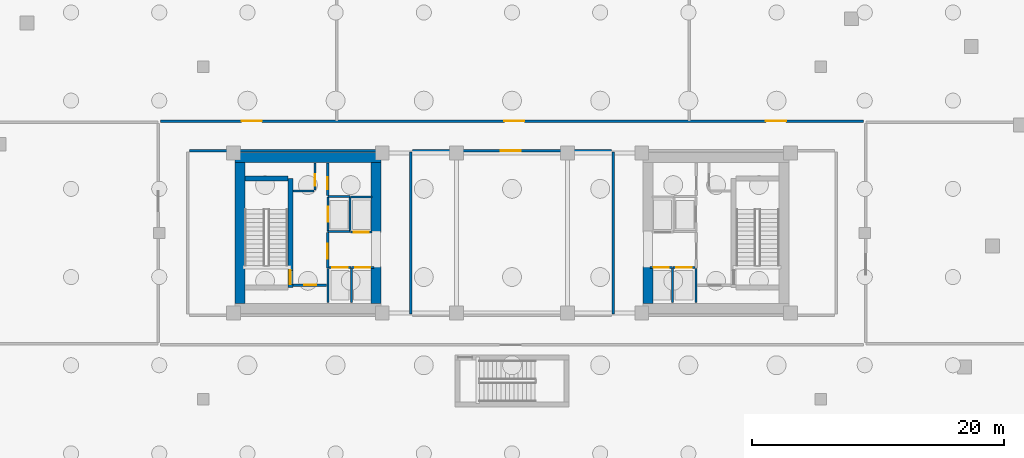
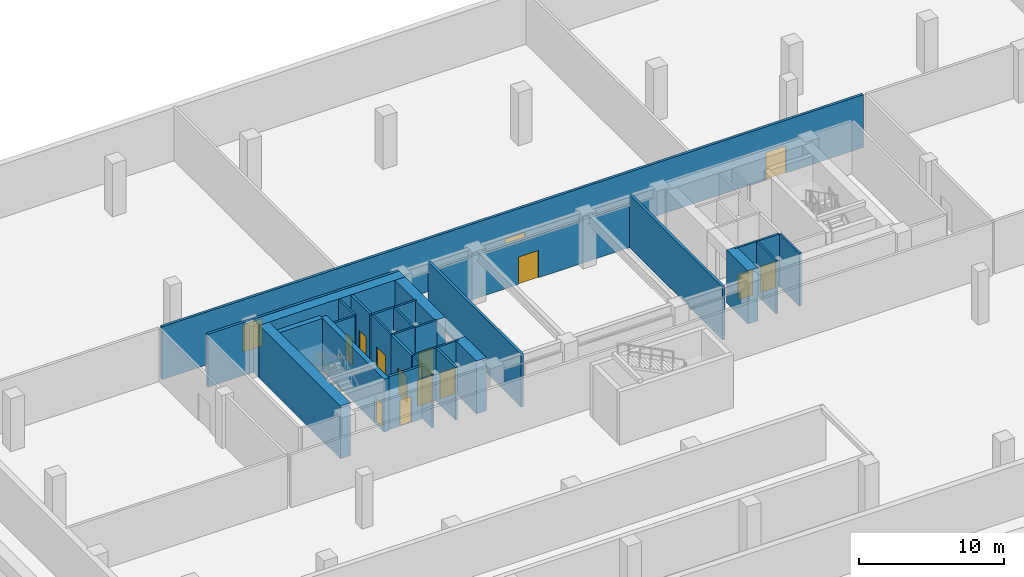
# One storey, part 4 of 10: 31 walls, 15 doors, 15 openings.
"""IFC4 building model written with IfcOpenShell, lengths in metres."""

from ifc_helpers import new_model, si_unit, direction, frame, frame_2d, origin, place, context, subcontext, project, spatial, rectangle, extrude, material, layer, layer_set, type_object, element, fill, save


model = new_model("IFC4")

# Units and contexts
model_context = context("Model", 3, precision=1e-05, world=origin(), true_north=direction((0.0, 1.0)))
body_context = subcontext(model_context, "Body", "Model", "MODEL_VIEW")
ifc_project = project(units=[si_unit("LENGTHUNIT", "METRE"), si_unit("AREAUNIT", "SQUARE_METRE"), si_unit("VOLUMEUNIT", "CUBIC_METRE"), si_unit("PLANEANGLEUNIT", "RADIAN"), si_unit("MASSUNIT", "GRAM", prefix="KILO")], contexts=[model_context])

# Site, building, storey
site_placement = place(None, origin())
site = spatial("IfcSite", under=ifc_project, at=site_placement, CompositionType="ELEMENT")
building_placement = place(site_placement, origin())
building = spatial("IfcBuilding", under=site, at=building_placement, Name="Tavrogorsk Clinical Tower", CompositionType="ELEMENT")
storey_placement = place(building_placement, frame((0.0, 0.0, -10.199951171875)))
storey = spatial("IfcBuildingStorey", under=building, at=storey_placement, Name="B2", CompositionType="ELEMENT", Elevation=-10.199951171875)

# Wall, opening, door
ifc_material_1 = material(Name="Concrete B60", Category="concrete")
ifc_layer_1 = layer(ifc_material_1, 0.199951171875)
ifc_layer_set_1 = layer_set([ifc_layer_1], Name="Concrete B60")
wall_type_1 = type_object("IfcWallType", Name="CoreFireWall_200", PredefinedType="SOLIDWALL", material=ifc_layer_set_1)
wall_1_placement = place(storey_placement, frame((-17.3798828125, -4.139892578125, 0.0), z_axis=(0.0, 0.0, 1.0), x_axis=(1.0, 0.0, 0.0)))
wall_1 = element("IfcWall", 1, at=wall_1_placement, inside=storey, type_object=wall_type_1, Name="B2 Core West South Core Room Fire Wall", PredefinedType="SOLIDWALL", context=body_context, shape_type="SweptSolid", body=[
    extrude(rectangle(XDim=2.659912109375, YDim=0.199951171875, at=frame_2d((1.330078125, 0.0))), origin(), (0.0, 0.0, 1.0), 4.449951171875),
])
opening_1_placement = place(wall_1_placement, frame((0.8798828125, 0.0, 0.0)))
opening_1 = element("IfcOpeningElement", 2, at=opening_1_placement, cuts=wall_1, Name="Opening ID-02", PredefinedType="OPENING", context=body_context, shape_type="SweptSolid", body=[
    extrude(rectangle(XDim=0.949951171875, YDim=2.199951171875, at=frame_2d((0.47509765625, 1.10009765625))), frame((0.0, 0.10986328125, 0.0), z_axis=(0.0, -1.0, 0.0), x_axis=(1.0, 0.0, 0.0)), (0.0, 0.0, 1.0), 0.219970703125),
])
ifc_material_2 = material(Name="Laminated timber leaf on aluminium frame", Category="wood")
door_type_1 = type_object("IfcDoorType", Name="InteriorDoor_ID02_950", OperationType="NOTDEFINED", PredefinedType="DOOR", material=ifc_material_2)
door_1_placement = place(opening_1_placement, origin())
door_1 = element("IfcDoor", 3, at=door_1_placement, inside=storey, type_object=door_type_1, Name="B2 Core West South Core Room Door", OperationType="SINGLE_SWING_RIGHT", OverallHeight=2.199951171875, OverallWidth=0.949951171875, PredefinedType="DOOR", context=body_context, shape_type="SweptSolid", body=[
    extrude(rectangle(XDim=0.949951171875, YDim=2.199951171875, at=frame_2d((0.47509765625, 1.10009765625))), frame((0.0, 0.02490234375, 0.0), z_axis=(0.0, -1.0, 0.0), x_axis=(1.0, 0.0, 0.0)), (0.0, 0.0, 1.0), 0.050048828125),
])
fill(opening_1, door_1)

wall_2_placement = place(storey_placement, frame((-14.639892578125, 2.9599609375, 0.0), z_axis=(0.0, 0.0, 1.0), x_axis=(0.0, 1.0, 0.0)))
wall_2 = element("IfcWall", 4, at=wall_2_placement, inside=storey, type_object=wall_type_1, Name="B2 Core West North Core Room East Wall", PredefinedType="SOLIDWALL", context=body_context, shape_type="SweptSolid", body=[
    extrude(rectangle(XDim=2.60009765625, YDim=0.199951171875, at=frame_2d((1.300048828125, 0.0))), origin(), (0.0, 0.0, 1.0), 4.449951171875),
])
opening_2_placement = place(wall_2_placement, frame((0.52001953125, 0.0, 0.0)))
opening_2 = element("IfcOpeningElement", 5, at=opening_2_placement, cuts=wall_2, Name="Opening ID-02", PredefinedType="OPENING", context=body_context, shape_type="SweptSolid", body=[
    extrude(rectangle(XDim=0.949951171875, YDim=2.199951171875, at=frame_2d((0.47509765625, 1.10009765625))), frame((0.0, 0.10986328125, 0.0), z_axis=(0.0, -1.0, 0.0), x_axis=(1.0, 0.0, 0.0)), (0.0, 0.0, 1.0), 0.219970703125),
])
door_2_placement = place(opening_2_placement, origin())
door_2 = element("IfcDoor", 6, at=door_2_placement, inside=storey, type_object=door_type_1, Name="B2 Core West Core Telemetry Room Door", OperationType="SINGLE_SWING_LEFT", OverallHeight=2.199951171875, OverallWidth=0.949951171875, PredefinedType="DOOR", context=body_context, shape_type="SweptSolid", body=[
    extrude(rectangle(XDim=0.949951171875, YDim=2.199951171875, at=frame_2d((0.47509765625, 1.10009765625))), frame((0.0, 0.02490234375, 0.0), z_axis=(0.0, -1.0, 0.0), x_axis=(1.0, 0.0, 0.0)), (0.0, 0.0, 1.0), 0.050048828125),
])
fill(opening_2, door_2)

wall_3_placement = place(storey_placement, frame((-14.639892578125, -2.780029296875, 0.0), z_axis=(0.0, 0.0, 1.0), x_axis=(0.0, 1.0, 0.0)))
wall_3 = element("IfcWall", 7, at=wall_3_placement, inside=storey, type_object=wall_type_1, Name="B2 Core West Firefighting Lobby Fire Wall", PredefinedType="SOLIDWALL", context=body_context, shape_type="SweptSolid", body=[
    extrude(rectangle(XDim=2.820068359375, YDim=0.199951171875, at=frame_2d((1.41015625, 0.0))), origin(), (0.0, 0.0, 1.0), 4.449951171875),
])
opening_3_placement = place(wall_3_placement, frame((0.72998046875, 0.0, 0.0)))
opening_3 = element("IfcOpeningElement", 8, at=opening_3_placement, cuts=wall_3, Name="Opening FD-01", PredefinedType="OPENING", context=body_context, shape_type="SweptSolid", body=[
    extrude(rectangle(XDim=1.199951171875, YDim=2.199951171875, at=frame_2d((0.60009765625, 1.10009765625))), frame((0.0, 0.10986328125, 0.0), z_axis=(0.0, -1.0, 0.0), x_axis=(1.0, 0.0, 0.0)), (0.0, 0.0, 1.0), 0.219970703125),
])
ifc_material_3 = material(Name="Galvanised steel fire-rated door assembly", Category="steel")
door_type_2 = type_object("IfcDoorType", Name="FireDoor_FD01_1200", OperationType="NOTDEFINED", PredefinedType="DOOR", material=ifc_material_3)
door_3_placement = place(opening_3_placement, origin())
door_3 = element("IfcDoor", 9, at=door_3_placement, inside=storey, type_object=door_type_2, Name="B2 Core West Firefighting Lobby Entry Door", OperationType="SINGLE_SWING_RIGHT", OverallHeight=2.199951171875, OverallWidth=1.199951171875, PredefinedType="DOOR", context=body_context, shape_type="SweptSolid", body=[
    extrude(rectangle(XDim=1.199951171875, YDim=2.199951171875, at=frame_2d((0.60009765625, 1.10009765625))), frame((0.0, 0.02490234375, 0.0), z_axis=(0.0, -1.0, 0.0), x_axis=(1.0, 0.0, 0.0)), (0.0, 0.0, 1.0), 0.050048828125),
])
fill(opening_3, door_3)

# Wall, openings, doors
wall_4_placement = place(storey_placement, frame((-27.89501953125, 8.8798828125, 0.0), z_axis=(0.0, 0.0, 1.0), x_axis=(1.0, 0.0, 0.0)))
wall_4 = element("IfcWall", 10, at=wall_4_placement, inside=storey, type_object=wall_type_1, Name="B2 Corridor Fire Wall 02", PredefinedType="SOLIDWALL", context=body_context, shape_type="SweptSolid", body=[
    extrude(rectangle(XDim=55.7900390625, YDim=0.199951171875, at=frame_2d((27.89501953125, 0.0))), origin(), (0.0, 0.0, 1.0), 4.449951171875),
])
opening_4_placement = place(wall_4_placement, frame((6.43408203125, 0.0, 0.0)))
opening_4 = element("IfcOpeningElement", 11, at=opening_4_placement, cuts=wall_4, Name="Opening FD-04", PredefinedType="OPENING", context=body_context, shape_type="SweptSolid", body=[
    extrude(rectangle(XDim=1.60009765625, YDim=2.300048828125, at=frame_2d((0.800048828125, 1.14990234375))), frame((0.0, 0.10986328125, 0.0), z_axis=(0.0, -1.0, 0.0), x_axis=(1.0, 0.0, 0.0)), (0.0, 0.0, 1.0), 0.219970703125),
])
opening_5_placement = place(wall_4_placement, frame((27.280029296875, 0.0, 0.0)))
opening_5 = element("IfcOpeningElement", 12, at=opening_5_placement, cuts=wall_4, Name="Opening FD-04", PredefinedType="OPENING", context=body_context, shape_type="SweptSolid", body=[
    extrude(rectangle(XDim=1.60009765625, YDim=2.300048828125, at=frame_2d((0.800048828125, 1.14990234375))), frame((0.0, 0.10986328125, 0.0), z_axis=(0.0, -1.0, 0.0), x_axis=(1.0, 0.0, 0.0)), (0.0, 0.0, 1.0), 0.219970703125),
])
opening_6_placement = place(wall_4_placement, frame((48.0458984375, 0.0, 0.0)))
opening_6 = element("IfcOpeningElement", 13, at=opening_6_placement, cuts=wall_4, Name="Opening FD-04", PredefinedType="OPENING", context=body_context, shape_type="SweptSolid", body=[
    extrude(rectangle(XDim=1.60009765625, YDim=2.300048828125, at=frame_2d((0.800048828125, 1.14990234375))), frame((0.0, 0.10986328125, 0.0), z_axis=(0.0, -1.0, 0.0), x_axis=(1.0, 0.0, 0.0)), (0.0, 0.0, 1.0), 0.219970703125),
])
ifc_material_4 = material(Name="Galvanised steel acoustic plant double door", Category="steel")
door_type_3 = type_object("IfcDoorType", Name="PlantDoubleDoor_FD04_1600", OperationType="DOUBLE_SWING_LEFT", PredefinedType="DOOR", material=ifc_material_4)
door_4_placement = place(opening_4_placement, origin())
door_4 = element("IfcDoor", 14, at=door_4_placement, inside=storey, type_object=door_type_3, Name="B2 Central Sterile Supply Department Fire Door", OperationType="DOUBLE_SWING_LEFT", OverallHeight=2.300048828125, OverallWidth=1.60009765625, PredefinedType="DOOR", context=body_context, shape_type="SweptSolid", body=[
    extrude(rectangle(XDim=1.60009765625, YDim=2.300048828125, at=frame_2d((0.800048828125, 1.14990234375))), frame((0.0, 0.02490234375, 0.0), z_axis=(0.0, -1.0, 0.0), x_axis=(1.0, 0.0, 0.0)), (0.0, 0.0, 1.0), 0.050048828125),
])
fill(opening_4, door_4)
door_5_placement = place(opening_5_placement, origin())
door_5 = element("IfcDoor", 15, at=door_5_placement, inside=storey, type_object=door_type_3, Name="B2 Automated Robotic Pharmacy Vault Fire Door", OperationType="DOUBLE_SWING_LEFT", OverallHeight=2.300048828125, OverallWidth=1.60009765625, PredefinedType="DOOR", context=body_context, shape_type="SweptSolid", body=[
    extrude(rectangle(XDim=1.60009765625, YDim=2.300048828125, at=frame_2d((0.800048828125, 1.14990234375))), frame((0.0, 0.02490234375, 0.0), z_axis=(0.0, -1.0, 0.0), x_axis=(1.0, 0.0, 0.0)), (0.0, 0.0, 1.0), 0.050048828125),
])
fill(opening_5, door_5)
door_6_placement = place(opening_6_placement, origin())
door_6 = element("IfcDoor", 16, at=door_6_placement, inside=storey, type_object=door_type_3, Name="B2 District Cooling & Chiller Plant Fire Door", OperationType="DOUBLE_SWING_LEFT", OverallHeight=2.300048828125, OverallWidth=1.60009765625, PredefinedType="DOOR", context=body_context, shape_type="SweptSolid", body=[
    extrude(rectangle(XDim=1.60009765625, YDim=2.300048828125, at=frame_2d((0.800048828125, 1.14990234375))), frame((0.0, 0.02490234375, 0.0), z_axis=(0.0, -1.0, 0.0), x_axis=(1.0, 0.0, 0.0)), (0.0, 0.0, 1.0), 0.050048828125),
])
fill(opening_6, door_6)

# Wall
wall_5_placement = place(storey_placement, frame((8.02001953125, -6.4150390625, 0.0), z_axis=(0.0, 0.0, 1.0), x_axis=(0.0, 1.0, 0.0)))
element("IfcWall", 17, at=wall_5_placement, inside=storey, type_object=wall_type_1, Name="B2 Corridor Fire Wall 08", PredefinedType="SOLIDWALL", context=body_context, shape_type="SweptSolid", body=[
    extrude(rectangle(XDim=12.830078125, YDim=0.199951171875, at=frame_2d((6.4150390625, 0.0))), origin(), (0.0, 0.0, 1.0), 4.449951171875),
])

# Wall, opening, door
wall_6_placement = place(storey_placement, frame((7.9150390625, 6.52001953125, 0.0), z_axis=(0.0, 0.0, 1.0), x_axis=(-1.0, 0.0, 0.0)))
wall_6 = element("IfcWall", 18, at=wall_6_placement, inside=storey, type_object=wall_type_1, Name="B2 Corridor Fire Wall 09", PredefinedType="SOLIDWALL", context=body_context, shape_type="SweptSolid", body=[
    extrude(rectangle(XDim=15.830078125, YDim=0.199951171875, at=frame_2d((7.9150390625, 0.0))), origin(), (0.0, 0.0, 1.0), 3.64501953125),
])
opening_7_placement = place(wall_6_placement, frame((7.219970703125, 0.0, 0.0)))
opening_7 = element("IfcOpeningElement", 19, at=opening_7_placement, cuts=wall_6, Name="Opening FD-04", PredefinedType="OPENING", context=body_context, shape_type="SweptSolid", body=[
    extrude(rectangle(XDim=1.60009765625, YDim=2.300048828125, at=frame_2d((0.800048828125, 1.14990234375))), frame((0.0, 0.10986328125, 0.0), z_axis=(0.0, -1.0, 0.0), x_axis=(1.0, 0.0, 0.0)), (0.0, 0.0, 1.0), 0.219970703125),
])
door_7_placement = place(opening_7_placement, origin())
door_7 = element("IfcDoor", 20, at=door_7_placement, inside=storey, type_object=door_type_3, Name="B2 Medical Vacuum & Compressed Air Plant Fire Door", OperationType="DOUBLE_SWING_LEFT", OverallHeight=2.300048828125, OverallWidth=1.60009765625, PredefinedType="DOOR", context=body_context, shape_type="SweptSolid", body=[
    extrude(rectangle(XDim=1.60009765625, YDim=2.300048828125, at=frame_2d((0.800048828125, 1.14990234375))), frame((0.0, 0.02490234375, 0.0), z_axis=(0.0, -1.0, 0.0), x_axis=(1.0, 0.0, 0.0)), (0.0, 0.0, 1.0), 0.050048828125),
])
fill(opening_7, door_7)

# Walls
wall_7_placement = place(storey_placement, frame((-8.02001953125, 6.4150390625, 0.0), z_axis=(0.0, 0.0, 1.0), x_axis=(0.0, -1.0, 0.0)))
element("IfcWall", 21, at=wall_7_placement, inside=storey, type_object=wall_type_1, Name="B2 Corridor Fire Wall 10", PredefinedType="SOLIDWALL", context=body_context, shape_type="SweptSolid", body=[
    extrude(rectangle(XDim=12.830078125, YDim=0.199951171875, at=frame_2d((6.4150390625, 0.0))), origin(), (0.0, 0.0, 1.0), 4.449951171875),
])
wall_8_placement = place(storey_placement, frame((-10.3798828125, 6.52001953125, 0.0), z_axis=(0.0, 0.0, 1.0), x_axis=(-1.0, 0.0, 0.0)))
element("IfcWall", 22, at=wall_8_placement, inside=storey, type_object=wall_type_1, Name="B2 Corridor Fire Wall 12", PredefinedType="SOLIDWALL", context=body_context, shape_type="SweptSolid", body=[
    extrude(rectangle(XDim=15.235107421875, YDim=0.199951171875, at=frame_2d((7.61767578125, 0.0))), origin(), (0.0, 0.0, 1.0), 4.449951171875),
])

# Wall, opening, door
ifc_material_5 = material(Name="Lightweight concrete blockwork B25", Category="masonry")
ifc_layer_2 = layer(ifc_material_5, 0.159912109375)
ifc_layer_set_2 = layer_set([ifc_layer_2], Name="Lightweight concrete blockwork B25")
wall_type_2 = type_object("IfcWallType", Name="ShaftWall_160", PredefinedType="PARTITIONING", material=ifc_layer_set_2)
wall_9_placement = place(storey_placement, frame((-14.60009765625, 0.1201171875, 0.0), z_axis=(0.0, 0.0, 1.0), x_axis=(0.0, 1.0, 0.0)))
wall_9 = element("IfcWall", 23, at=wall_9_placement, inside=storey, type_object=wall_type_2, Name="B2 FFL-W Firefighting Lift Front Wall", PredefinedType="PARTITIONING", context=body_context, shape_type="SweptSolid", body=[
    extrude(rectangle(XDim=2.739990234375, YDim=0.159912109375, at=frame_2d((1.3701171875, 0.0))), origin(), (0.0, 0.0, 1.0), 4.449951171875),
])
opening_8_placement = place(wall_9_placement, frame((0.77001953125, 0.0, 0.0)))
opening_8 = element("IfcOpeningElement", 24, at=opening_8_placement, cuts=wall_9, Name="Opening LD", PredefinedType="OPENING", context=body_context, shape_type="SweptSolid", body=[
    extrude(rectangle(XDim=1.199951171875, YDim=2.199951171875, at=frame_2d((0.60009765625, 1.10009765625))), frame((0.0, 0.08984375, 0.0), z_axis=(0.0, -1.0, 0.0), x_axis=(1.0, 0.0, 0.0)), (0.0, 0.0, 1.0), 0.179931640625),
])
ifc_material_6 = material(Name="Brushed stainless steel AISI 304 sliding doors", Category="steel")
door_type_4 = type_object("IfcDoorType", Name="LiftLandingDoor_LD_1200", OperationType="SLIDING_TO_LEFT", PredefinedType="DOOR", material=ifc_material_6)
door_8_placement = place(opening_8_placement, origin())
door_8 = element("IfcDoor", 25, at=door_8_placement, inside=storey, type_object=door_type_4, Name="B2 FFL-W Sliding Lift Landing Door", OperationType="SLIDING_TO_LEFT", OverallHeight=2.199951171875, OverallWidth=1.199951171875, PredefinedType="DOOR", context=body_context, shape_type="SweptSolid", body=[
    extrude(rectangle(XDim=1.199951171875, YDim=2.199951171875, at=frame_2d((0.60009765625, 1.10009765625))), frame((0.0, 0.02490234375, 0.0), z_axis=(0.0, -1.0, 0.0), x_axis=(1.0, 0.0, 0.0)), (0.0, 0.0, 1.0), 0.050048828125),
])
fill(opening_8, door_8)

# Walls
for number, where, z_axis, x_axis, name in (
    (26, (-14.60009765625, 0.10009765625, 0.0), (0.0, 0.0, 1.0), (1.0, 0.0, 0.0), "B2 FFL-W Shaft South Wall"),
    (27, (-14.60009765625, 2.8798828125, 0.0), (0.0, 0.0, 1.0), (1.0, 0.0, 0.0), "B2 FFL-W Shaft North Wall"),
):
    element("IfcWall", number, at=place(storey_placement, frame(where, z_axis=z_axis, x_axis=x_axis)), inside=storey, type_object=wall_type_2, Name=name, PredefinedType="PARTITIONING", context=body_context, shape_type="SweptSolid", body=[
        extrude(rectangle(XDim=1.760009765625, YDim=0.159912109375, at=frame_2d((0.8798828125, 0.0))), origin(), (0.0, 0.0, 1.0), 4.449951171875),
    ])
wall_10_placement = place(storey_placement, frame((-12.840087890625, 0.179931640625, 0.0), z_axis=(0.0, 0.0, 1.0), x_axis=(0.0, 1.0, 0.0)))
element("IfcWall", 28, at=wall_10_placement, inside=storey, type_object=wall_type_2, Name="B2 FFL-W Shaft Back Wall", PredefinedType="PARTITIONING", context=body_context, shape_type="SweptSolid", body=[
    extrude(rectangle(XDim=2.6201171875, YDim=0.159912109375, at=frame_2d((1.31005859375, 0.0))), origin(), (0.0, 0.0, 1.0), 4.449951171875),
])

# Wall, opening, door
wall_11_placement = place(storey_placement, frame((-14.530029296875, -2.75, 0.0), z_axis=(0.0, 0.0, 1.0), x_axis=(1.0, 0.0, 0.0)))
wall_11 = element("IfcWall", 29, at=wall_11_placement, inside=storey, type_object=wall_type_2, Name="B2 LP-L1 Lift Shaft Portal Wall", PredefinedType="PARTITIONING", context=body_context, shape_type="SweptSolid", body=[
    extrude(rectangle(XDim=1.760009765625, YDim=0.159912109375, at=frame_2d((0.8798828125, 0.0))), origin(), (0.0, 0.0, 1.0), 4.449951171875),
])
opening_9_placement = place(wall_11_placement, frame((0.280029296875, 0.0, 0.0)))
opening_9 = element("IfcOpeningElement", 30, at=opening_9_placement, cuts=wall_11, Name="Opening LD", PredefinedType="OPENING", context=body_context, shape_type="SweptSolid", body=[
    extrude(rectangle(XDim=1.199951171875, YDim=2.199951171875, at=frame_2d((0.60009765625, 1.10009765625))), frame((0.0, 0.08984375, 0.0), z_axis=(0.0, -1.0, 0.0), x_axis=(1.0, 0.0, 0.0)), (0.0, 0.0, 1.0), 0.179931640625),
])
door_9_placement = place(opening_9_placement, origin())
door_9 = element("IfcDoor", 31, at=door_9_placement, inside=storey, type_object=door_type_4, Name="B2 LP-L1 Sliding Lift Landing Door", OperationType="SLIDING_TO_LEFT", OverallHeight=2.199951171875, OverallWidth=1.199951171875, PredefinedType="DOOR", context=body_context, shape_type="SweptSolid", body=[
    extrude(rectangle(XDim=1.199951171875, YDim=2.199951171875, at=frame_2d((0.60009765625, 1.10009765625))), frame((0.0, 0.02490234375, 0.0), z_axis=(0.0, -1.0, 0.0), x_axis=(1.0, 0.0, 0.0)), (0.0, 0.0, 1.0), 0.050048828125),
])
fill(opening_9, door_9)

# Walls
for number, where, z_axis, x_axis, name in (
    (32, (-12.75, -5.5400390625, 0.0), (0.0, 0.0, 1.0), (0.0, 1.0, 0.0), "B2 LP-L1 Lift Hoistway Divider Wall"),
    (33, (-14.610107421875, -5.5400390625, 0.0), (0.0, 0.0, 1.0), (0.0, 1.0, 0.0), "B2 LP-L1 Lift Hoistway Outer Cheek Wall"),
):
    element("IfcWall", number, at=place(storey_placement, frame(where, z_axis=z_axis, x_axis=x_axis)), inside=storey, type_object=wall_type_2, Name=name, PredefinedType="PARTITIONING", context=body_context, shape_type="SweptSolid", body=[
        extrude(rectangle(XDim=2.699951171875, YDim=0.159912109375, at=frame_2d((1.35009765625, 0.0))), origin(), (0.0, 0.0, 1.0), 4.449951171875),
    ])

# Wall, opening, door
wall_12_placement = place(storey_placement, frame((-12.72998046875, -2.75, 0.0), z_axis=(0.0, 0.0, 1.0), x_axis=(1.0, 0.0, 0.0)))
wall_12 = element("IfcWall", 34, at=wall_12_placement, inside=storey, type_object=wall_type_2, Name="B2 LP-M1 Lift Shaft Portal Wall", PredefinedType="PARTITIONING", context=body_context, shape_type="SweptSolid", body=[
    extrude(rectangle(XDim=1.760009765625, YDim=0.159912109375, at=frame_2d((0.8798828125, 0.0))), origin(), (0.0, 0.0, 1.0), 4.449951171875),
])
opening_10_placement = place(wall_12_placement, frame((0.280029296875, 0.0, 0.0)))
opening_10 = element("IfcOpeningElement", 35, at=opening_10_placement, cuts=wall_12, Name="Opening LD", PredefinedType="OPENING", context=body_context, shape_type="SweptSolid", body=[
    extrude(rectangle(XDim=1.199951171875, YDim=2.199951171875, at=frame_2d((0.60009765625, 1.10009765625))), frame((0.0, 0.08984375, 0.0), z_axis=(0.0, -1.0, 0.0), x_axis=(1.0, 0.0, 0.0)), (0.0, 0.0, 1.0), 0.179931640625),
])
door_10_placement = place(opening_10_placement, origin())
door_10 = element("IfcDoor", 36, at=door_10_placement, inside=storey, type_object=door_type_4, Name="B2 LP-M1 Sliding Lift Landing Door", OperationType="SLIDING_TO_LEFT", OverallHeight=2.199951171875, OverallWidth=1.199951171875, PredefinedType="DOOR", context=body_context, shape_type="SweptSolid", body=[
    extrude(rectangle(XDim=1.199951171875, YDim=2.199951171875, at=frame_2d((0.60009765625, 1.10009765625))), frame((0.0, 0.02490234375, 0.0), z_axis=(0.0, -1.0, 0.0), x_axis=(1.0, 0.0, 0.0)), (0.0, 0.0, 1.0), 0.050048828125),
])
fill(opening_10, door_10)

wall_13_placement = place(storey_placement, frame((-12.820068359375, 0.06005859375, 0.0), z_axis=(0.0, 0.0, 1.0), x_axis=(1.0, 0.0, 0.0)))
wall_13 = element("IfcWall", 37, at=wall_13_placement, inside=storey, type_object=wall_type_2, Name="B2 LP-H1 High-Zone Lift Portal Wall", PredefinedType="PARTITIONING", context=body_context, shape_type="SweptSolid", body=[
    extrude(rectangle(XDim=1.719970703125, YDim=0.159912109375, at=frame_2d((0.85986328125, 0.0))), origin(), (0.0, 0.0, 1.0), 4.449951171875),
])
opening_11_placement = place(wall_13_placement, frame((0.260009765625, 0.0, 0.0)))
opening_11 = element("IfcOpeningElement", 38, at=opening_11_placement, cuts=wall_13, Name="Opening LD", PredefinedType="OPENING", context=body_context, shape_type="SweptSolid", body=[
    extrude(rectangle(XDim=1.199951171875, YDim=2.199951171875, at=frame_2d((0.60009765625, 1.10009765625))), frame((0.0, 0.08984375, 0.0), z_axis=(0.0, -1.0, 0.0), x_axis=(1.0, 0.0, 0.0)), (0.0, 0.0, 1.0), 0.179931640625),
])
door_11_placement = place(opening_11_placement, origin())
door_11 = element("IfcDoor", 39, at=door_11_placement, inside=storey, type_object=door_type_4, Name="B2 LP-H1 Sliding Lift Landing Door", OperationType="SLIDING_TO_LEFT", OverallHeight=2.199951171875, OverallWidth=1.199951171875, PredefinedType="DOOR", context=body_context, shape_type="SweptSolid", body=[
    extrude(rectangle(XDim=1.199951171875, YDim=2.199951171875, at=frame_2d((0.60009765625, 1.10009765625))), frame((0.0, 0.02490234375, 0.0), z_axis=(0.0, -1.0, 0.0), x_axis=(1.0, 0.0, 0.0)), (0.0, 0.0, 1.0), 0.050048828125),
])
fill(opening_11, door_11)

# Wall
wall_14_placement = place(storey_placement, frame((-12.820068359375, 2.860107421875, 0.0), z_axis=(0.0, 0.0, 1.0), x_axis=(1.0, 0.0, 0.0)))
element("IfcWall", 40, at=wall_14_placement, inside=storey, type_object=wall_type_2, Name="B2 LP-H1 High-Zone Lift Rear Wall", PredefinedType="PARTITIONING", context=body_context, shape_type="SweptSolid", body=[
    extrude(rectangle(XDim=1.719970703125, YDim=0.159912109375, at=frame_2d((0.85986328125, 0.0))), origin(), (0.0, 0.0, 1.0), 4.449951171875),
])

# Wall, opening, door
wall_15_placement = place(storey_placement, frame((12.77001953125, -2.75, 0.0), z_axis=(0.0, 0.0, 1.0), x_axis=(1.0, 0.0, 0.0)))
wall_15 = element("IfcWall", 41, at=wall_15_placement, inside=storey, type_object=wall_type_2, Name="B2 LP-L2 Lift Shaft Portal Wall", PredefinedType="PARTITIONING", context=body_context, shape_type="SweptSolid", body=[
    extrude(rectangle(XDim=1.760009765625, YDim=0.159912109375, at=frame_2d((0.8798828125, 0.0))), origin(), (0.0, 0.0, 1.0), 4.449951171875),
])
opening_12_placement = place(wall_15_placement, frame((0.280029296875, 0.0, 0.0)))
opening_12 = element("IfcOpeningElement", 42, at=opening_12_placement, cuts=wall_15, Name="Opening LD", PredefinedType="OPENING", context=body_context, shape_type="SweptSolid", body=[
    extrude(rectangle(XDim=1.199951171875, YDim=2.199951171875, at=frame_2d((0.60009765625, 1.10009765625))), frame((0.0, 0.08984375, 0.0), z_axis=(0.0, -1.0, 0.0), x_axis=(1.0, 0.0, 0.0)), (0.0, 0.0, 1.0), 0.179931640625),
])
door_12_placement = place(opening_12_placement, origin())
door_12 = element("IfcDoor", 43, at=door_12_placement, inside=storey, type_object=door_type_4, Name="B2 LP-L2 Sliding Lift Landing Door", OperationType="SLIDING_TO_LEFT", OverallHeight=2.199951171875, OverallWidth=1.199951171875, PredefinedType="DOOR", context=body_context, shape_type="SweptSolid", body=[
    extrude(rectangle(XDim=1.199951171875, YDim=2.199951171875, at=frame_2d((0.60009765625, 1.10009765625))), frame((0.0, 0.02490234375, 0.0), z_axis=(0.0, -1.0, 0.0), x_axis=(1.0, 0.0, 0.0)), (0.0, 0.0, 1.0), 0.050048828125),
])
fill(opening_12, door_12)

# Walls
for number, where, z_axis, x_axis, name in (
    (44, (12.75, -5.5400390625, 0.0), (0.0, 0.0, 1.0), (0.0, 1.0, 0.0), "B2 LP-L2 Lift Hoistway Divider Wall"),
    (45, (14.610107421875, -5.5400390625, 0.0), (0.0, 0.0, 1.0), (0.0, 1.0, 0.0), "B2 LP-L2 Lift Hoistway Outer Cheek Wall"),
):
    element("IfcWall", number, at=place(storey_placement, frame(where, z_axis=z_axis, x_axis=x_axis)), inside=storey, type_object=wall_type_2, Name=name, PredefinedType="PARTITIONING", context=body_context, shape_type="SweptSolid", body=[
        extrude(rectangle(XDim=2.699951171875, YDim=0.159912109375, at=frame_2d((1.35009765625, 0.0))), origin(), (0.0, 0.0, 1.0), 4.449951171875),
    ])

# Wall, opening, door
wall_16_placement = place(storey_placement, frame((10.969970703125, -2.75, 0.0), z_axis=(0.0, 0.0, 1.0), x_axis=(1.0, 0.0, 0.0)))
wall_16 = element("IfcWall", 46, at=wall_16_placement, inside=storey, type_object=wall_type_2, Name="B2 LP-M2 Lift Shaft Portal Wall", PredefinedType="PARTITIONING", context=body_context, shape_type="SweptSolid", body=[
    extrude(rectangle(XDim=1.760009765625, YDim=0.159912109375, at=frame_2d((0.8798828125, 0.0))), origin(), (0.0, 0.0, 1.0), 4.449951171875),
])
opening_13_placement = place(wall_16_placement, frame((0.280029296875, 0.0, 0.0)))
opening_13 = element("IfcOpeningElement", 47, at=opening_13_placement, cuts=wall_16, Name="Opening LD", PredefinedType="OPENING", context=body_context, shape_type="SweptSolid", body=[
    extrude(rectangle(XDim=1.199951171875, YDim=2.199951171875, at=frame_2d((0.60009765625, 1.10009765625))), frame((0.0, 0.08984375, 0.0), z_axis=(0.0, -1.0, 0.0), x_axis=(1.0, 0.0, 0.0)), (0.0, 0.0, 1.0), 0.179931640625),
])
door_13_placement = place(opening_13_placement, origin())
door_13 = element("IfcDoor", 48, at=door_13_placement, inside=storey, type_object=door_type_4, Name="B2 LP-M2 Sliding Lift Landing Door", OperationType="SLIDING_TO_LEFT", OverallHeight=2.199951171875, OverallWidth=1.199951171875, PredefinedType="DOOR", context=body_context, shape_type="SweptSolid", body=[
    extrude(rectangle(XDim=1.199951171875, YDim=2.199951171875, at=frame_2d((0.60009765625, 1.10009765625))), frame((0.0, 0.02490234375, 0.0), z_axis=(0.0, -1.0, 0.0), x_axis=(1.0, 0.0, 0.0)), (0.0, 0.0, 1.0), 0.050048828125),
])
fill(opening_13, door_13)

wall_17_placement = place(storey_placement, frame((-15.639892578125, 3.405029296875, 0.0), z_axis=(0.0, 0.0, 1.0), x_axis=(0.0, 1.0, 0.0)))
wall_17 = element("IfcWall", 49, at=wall_17_placement, inside=storey, type_object=wall_type_2, Name="B2 Core West Riser West Wall", PredefinedType="PARTITIONING", context=body_context, shape_type="SweptSolid", body=[
    extrude(rectangle(XDim=2.155029296875, YDim=0.159912109375, at=frame_2d((1.07763671875, 0.0))), origin(), (0.0, 0.0, 1.0), 4.449951171875),
])
opening_14_placement = place(wall_17_placement, frame((0.35009765625, 0.0, 0.0)))
opening_14 = element("IfcOpeningElement", 50, at=opening_14_placement, cuts=wall_17, Name="Opening FD-02", PredefinedType="OPENING", context=body_context, shape_type="SweptSolid", body=[
    extrude(rectangle(XDim=0.89990234375, YDim=2.199951171875, at=frame_2d((0.449951171875, 1.10009765625))), frame((0.0, 0.08984375, 0.0), z_axis=(0.0, -1.0, 0.0), x_axis=(1.0, 0.0, 0.0)), (0.0, 0.0, 1.0), 0.179931640625),
])
ifc_material_7 = material(Name="Galvanised steel fire-rated door assembly", Category="steel")
door_type_5 = type_object("IfcDoorType", Name="FireDoor_FD02_900", OperationType="NOTDEFINED", PredefinedType="DOOR", material=ifc_material_7)
door_14_placement = place(opening_14_placement, origin())
door_14 = element("IfcDoor", 51, at=door_14_placement, inside=storey, type_object=door_type_5, Name="B2 Core West Electrical Riser Access Door", OperationType="SINGLE_SWING_LEFT", OverallHeight=2.199951171875, OverallWidth=0.89990234375, PredefinedType="DOOR", context=body_context, shape_type="SweptSolid", body=[
    extrude(rectangle(XDim=0.89990234375, YDim=2.199951171875, at=frame_2d((0.449951171875, 1.10009765625))), frame((0.0, 0.02490234375, 0.0), z_axis=(0.0, -1.0, 0.0), x_axis=(1.0, 0.0, 0.0)), (0.0, 0.0, 1.0), 0.050048828125),
])
fill(opening_14, door_14)

# Wall
wall_18_placement = place(storey_placement, frame((-17.3798828125, 3.320068359375, 0.0), z_axis=(0.0, 0.0, 1.0), x_axis=(1.0, 0.0, 0.0)))
element("IfcWall", 52, at=wall_18_placement, inside=storey, type_object=wall_type_2, Name="B2 Core West Riser South Wall", PredefinedType="PARTITIONING", context=body_context, shape_type="SweptSolid", body=[
    extrude(rectangle(XDim=1.65478515625, YDim=0.159912109375, at=frame_2d((0.827392578125, 0.0))), origin(), (0.0, 0.0, 1.0), 4.449951171875),
])

# Wall, opening, door
ifc_material_8 = material(Name="Concrete B80", Category="concrete")
ifc_layer_3 = layer(ifc_material_8, 0.39990234375)
ifc_layer_set_3 = layer_set([ifc_layer_3], Name="Concrete B80")
wall_type_3 = type_object("IfcWallType", Name="ShearWall_400", PredefinedType="SHEAR", material=ifc_layer_set_3)
wall_19_placement = place(storey_placement, frame((-17.60009765625, -4.324951171875, 0.0), z_axis=(0.0, 0.0, 1.0), x_axis=(0.0, 1.0, 0.0)))
wall_19 = element("IfcWall", 53, at=wall_19_placement, inside=storey, type_object=wall_type_3, Name="B2 Core West Stair Shaft Inner Shear Wall", PredefinedType="SHEAR", context=body_context, shape_type="SweptSolid", body=[
    extrude(rectangle(XDim=8.64990234375, YDim=0.39990234375, at=frame_2d((4.324951171875, 0.0))), origin(), (0.0, 0.0, 1.0), 4.449951171875),
])
opening_15_placement = place(wall_19_placement, frame((0.25, 0.0, 0.0)))
opening_15 = element("IfcOpeningElement", 54, at=opening_15_placement, cuts=wall_19, Name="Opening SD-01", PredefinedType="OPENING", context=body_context, shape_type="SweptSolid", body=[
    extrude(rectangle(XDim=1.10009765625, YDim=2.199951171875, at=frame_2d((0.550048828125, 1.10009765625))), frame((0.0, 0.2099609375, 0.0), z_axis=(0.0, -1.0, 0.0), x_axis=(1.0, 0.0, 0.0)), (0.0, 0.0, 1.0), 0.419921875),
])
ifc_material_9 = material(Name="Galvanised steel smoke-tight fire door assembly", Category="steel")
door_type_6 = type_object("IfcDoorType", Name="StairFireDoor_SD01_1100", OperationType="NOTDEFINED", PredefinedType="DOOR", material=ifc_material_9)
door_15_placement = place(opening_15_placement, origin())
door_15 = element("IfcDoor", 55, at=door_15_placement, inside=storey, type_object=door_type_6, Name="B2 ST-W Exit Stair Door", OperationType="SINGLE_SWING_LEFT", OverallHeight=2.199951171875, OverallWidth=1.10009765625, PredefinedType="DOOR", context=body_context, shape_type="SweptSolid", body=[
    extrude(rectangle(XDim=1.10009765625, YDim=2.199951171875, at=frame_2d((0.550048828125, 1.10009765625))), frame((0.0, 0.02490234375, 0.0), z_axis=(0.0, -1.0, 0.0), x_axis=(1.0, 0.0, 0.0)), (0.0, 0.0, 1.0), 0.050048828125),
])
fill(opening_15, door_15)

# Walls
wall_20_placement = place(storey_placement, frame((-21.199951171875, 4.324951171875, 0.0), z_axis=(0.0, 0.0, 1.0), x_axis=(1.0, 0.0, 0.0)))
element("IfcWall", 56, at=wall_20_placement, inside=storey, type_object=wall_type_3, Name="B2 Core West Stair Shaft North Shear Wall", PredefinedType="SHEAR", context=body_context, shape_type="SweptSolid", body=[
    extrude(rectangle(XDim=3.39990234375, YDim=0.39990234375, at=frame_2d((1.699951171875, 0.0))), origin(), (0.0, 0.0, 1.0), 4.449951171875),
])
ifc_material_10 = material(Name="Concrete B80", Category="concrete")
ifc_layer_4 = layer(ifc_material_10, 0.800048828125)
ifc_layer_set_4 = layer_set([ifc_layer_4], Name="Concrete B80")
wall_type_4 = type_object("IfcWallType", Name="ShearWall_800", PredefinedType="SHEAR", material=ifc_layer_set_4)
wall_21_placement = place(storey_placement, frame((-22.0, 6.0, 0.0), z_axis=(0.0, 0.0, 1.0), x_axis=(1.0, 0.0, 0.0)))
element("IfcWall", 57, at=wall_21_placement, inside=storey, type_object=wall_type_4, Name="B2 Core West North Shear Wall", PredefinedType="SHEAR", context=body_context, shape_type="SweptSolid", body=[
    extrude(rectangle(XDim=11.60009765625, YDim=0.800048828125, at=frame_2d((5.800048828125, 0.0))), origin(), (0.0, 0.0, 1.0), 4.449951171875),
])
wall_22_placement = place(storey_placement, frame((-21.60009765625, -5.60009765625, 0.0), z_axis=(0.0, 0.0, 1.0), x_axis=(0.0, 1.0, 0.0)))
element("IfcWall", 58, at=wall_22_placement, inside=storey, type_object=wall_type_4, Name="B2 Core West End Shear Wall", PredefinedType="SHEAR", context=body_context, shape_type="SweptSolid", body=[
    extrude(rectangle(XDim=11.2001953125, YDim=0.800048828125, at=frame_2d((5.60009765625, 0.0))), origin(), (0.0, 0.0, 1.0), 4.449951171875),
])
wall_23_placement = place(storey_placement, frame((-10.800048828125, -5.60009765625, 0.0), z_axis=(0.0, 0.0, 1.0), x_axis=(0.0, 1.0, 0.0)))
element("IfcWall", 59, at=wall_23_placement, inside=storey, type_object=wall_type_4, Name="B2 Core West Inner South Pier", PredefinedType="SHEAR", context=body_context, shape_type="SweptSolid", body=[
    extrude(rectangle(XDim=2.9501953125, YDim=0.800048828125, at=frame_2d((1.47509765625, 0.0))), origin(), (0.0, 0.0, 1.0), 4.449951171875),
])
wall_24_placement = place(storey_placement, frame((-10.800048828125, 0.050048828125, 0.0), z_axis=(0.0, 0.0, 1.0), x_axis=(0.0, 1.0, 0.0)))
element("IfcWall", 60, at=wall_24_placement, inside=storey, type_object=wall_type_4, Name="B2 Core West Inner North Pier", PredefinedType="SHEAR", context=body_context, shape_type="SweptSolid", body=[
    extrude(rectangle(XDim=5.550048828125, YDim=0.800048828125, at=frame_2d((2.77490234375, 0.0))), origin(), (0.0, 0.0, 1.0), 4.449951171875),
])
wall_25_placement = place(storey_placement, frame((10.800048828125, -5.60009765625, 0.0), z_axis=(0.0, 0.0, 1.0), x_axis=(0.0, 1.0, 0.0)))
element("IfcWall", 61, at=wall_25_placement, inside=storey, type_object=wall_type_4, Name="B2 Core East Inner South Pier", PredefinedType="SHEAR", context=body_context, shape_type="SweptSolid", body=[
    extrude(rectangle(XDim=2.9501953125, YDim=0.800048828125, at=frame_2d((1.47509765625, 0.0))), origin(), (0.0, 0.0, 1.0), 4.449951171875),
])

save(model, "model.ifc")
